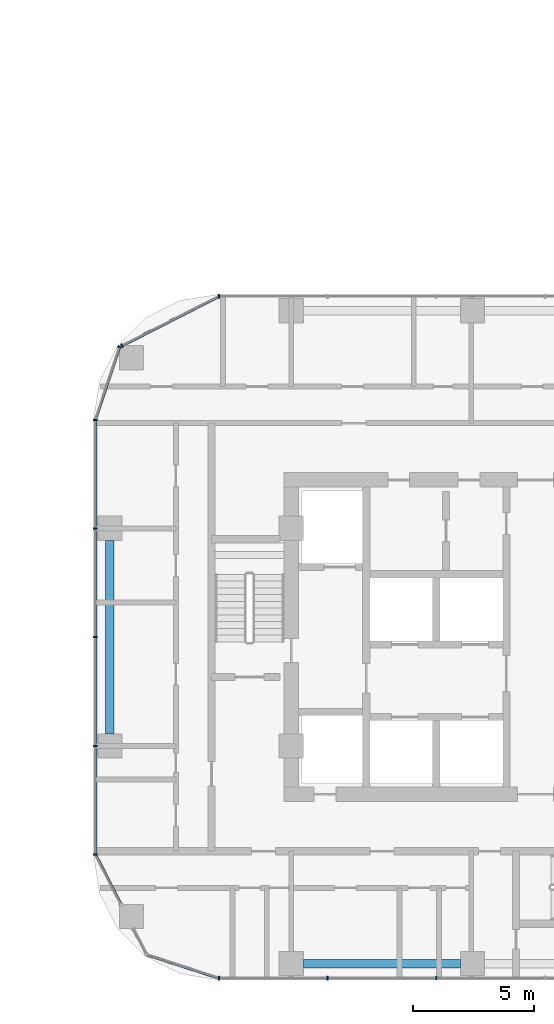
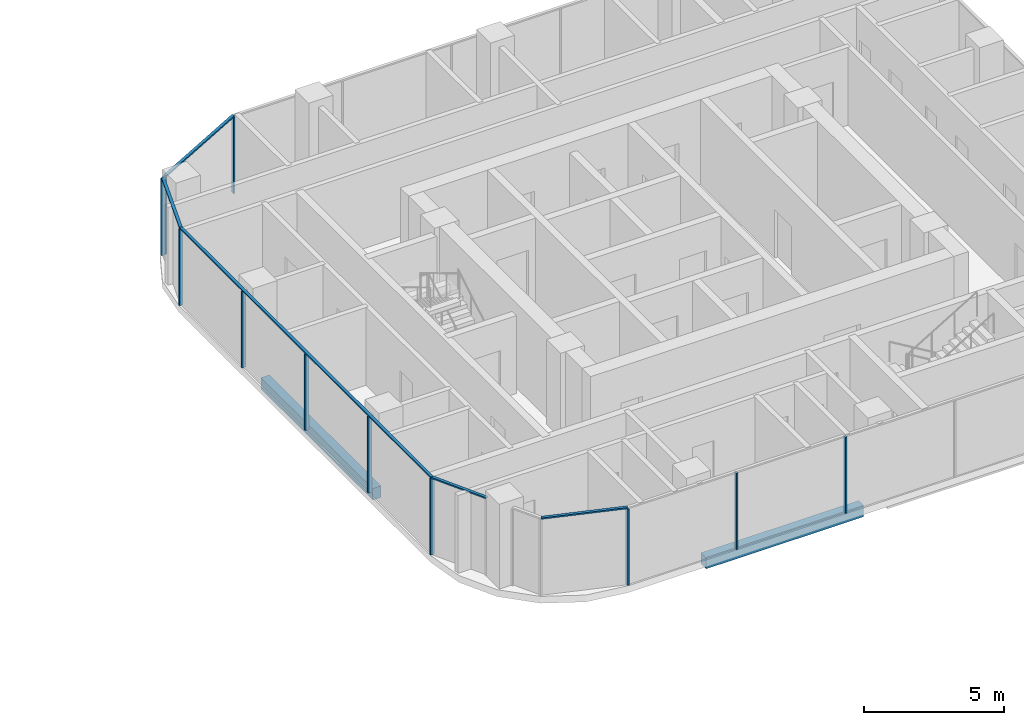
# One storey, part 8 of 31: 16 members, 2 beams, 7 elements without a shape of their own.
"""IFC4 building model written with IfcOpenShell, lengths in metres."""

import ifcopenshell
import ifcopenshell.guid

model = None  # the IFC model being written
_history = None  # IfcOwnerHistory: only IFC2X3 demands one
_inside = {}  # id of a spatial element -> (the spatial element, [elements in it])
_under = {}  # id of a project, library or spatial element -> (it, [spatial elements below it])
_declared = {}  # id of a project -> (the project, [libraries it declares])
_typed = {}  # id of a type object -> (the type object, [elements of that type])
_made_of = {}  # id of a material, layer set ... -> (it, [elements and type objects made of it])


def new_model(schema):
    """Start an empty IFC model of exactly this schema.

    Asked for "IFC4X3", IfcOpenShell would pick the latest addendum, in which some entities
    have other attributes; the version numbers below select the first issue.
    IFC2X3 requires an IfcOwnerHistory on every rooted entity: one is made here for all.
    """
    global model, _history
    if schema == "IFC4X3":
        model = ifcopenshell.file(schema_version=(4, 3, 0, 0))
    else:
        model = ifcopenshell.file(schema=schema)
    _inside.clear()
    _under.clear()
    _declared.clear()
    _typed.clear()
    _made_of.clear()
    _history = None
    if model.schema == "IFC2X3":
        org = make("IfcOrganization", Name="unknown")
        user = make(
            "IfcPersonAndOrganization",
            ThePerson=make("IfcPerson", FamilyName="unknown"),
            TheOrganization=org,
        )
        app = make(
            "IfcApplication",
            ApplicationDeveloper=org,
            Version="unknown",
            ApplicationFullName="unknown",
            ApplicationIdentifier="unknown",
        )
        _history = make(
            "IfcOwnerHistory",
            OwningUser=user,
            OwningApplication=app,
            ChangeAction="ADDED",
            CreationDate=0,
        )
    return model


def make(cls, **values):
    """One entity of the class cls with the attributes given. An attribute that is None is left unset."""
    return model.create_entity(
        cls, **{name: value for name, value in values.items() if value is not None}
    )


def rooted(cls, **values):
    """An entity with a GlobalId (a new one), such as an element, a storey or a relation."""
    return make(cls, GlobalId=ifcopenshell.guid.new(), OwnerHistory=_history, **values)


def si_unit(unit_type, name, prefix=None):
    """IfcSIUnit, for example si_unit("LENGTHUNIT", "METRE", prefix="MILLI")."""
    return make("IfcSIUnit", UnitType=unit_type, Prefix=prefix, Name=name)


def assignment(units):
    """IfcUnitAssignment: the units of a project."""
    return None if units is None else make("IfcUnitAssignment", Units=units)


def point(xyz):
    """IfcCartesianPoint."""
    return None if xyz is None else make("IfcCartesianPoint", Coordinates=xyz)


def direction(xyz):
    """IfcDirection."""
    return None if xyz is None else make("IfcDirection", DirectionRatios=xyz)


def frame(location, z_axis=None, x_axis=None):
    """IfcAxis2Placement3D, a coordinate frame: its origin and axes. An axis left out is left unset."""
    return make(
        "IfcAxis2Placement3D",
        Location=point(location),
        Axis=direction(z_axis),
        RefDirection=direction(x_axis),
    )


def frame_2d(location, x_axis=None):
    """IfcAxis2Placement2D, a coordinate frame in the plane: its origin and x axis."""
    return make(
        "IfcAxis2Placement2D", Location=point(location), RefDirection=direction(x_axis)
    )


def origin():
    """The frame at (0, 0, 0) with its axes left unset."""
    return frame((0.0, 0.0, 0.0))


def origin_2d():
    """The frame at (0, 0) in the plane with its x axis left unset."""
    return frame_2d((0.0, 0.0))


def place(relative_to, where):
    """IfcLocalPlacement: puts the frame where relative to a parent placement (None: the world)."""
    return make(
        "IfcLocalPlacement", PlacementRelTo=relative_to, RelativePlacement=where
    )


def context(
    kind, dimensions, precision=None, world=None, true_north=None, identifier=None
):
    """IfcGeometricRepresentationContext, for example the 3D "Model" context."""
    return make(
        "IfcGeometricRepresentationContext",
        ContextIdentifier=identifier,
        ContextType=kind,
        CoordinateSpaceDimension=dimensions,
        Precision=precision,
        WorldCoordinateSystem=world,
        TrueNorth=true_north,
    )


def subcontext(parent, identifier, kind, view, scale=None):
    """IfcGeometricRepresentationSubContext, for example "Body" below "Model"."""
    return make(
        "IfcGeometricRepresentationSubContext",
        ContextIdentifier=identifier,
        ContextType=kind,
        ParentContext=parent,
        TargetScale=scale,
        TargetView=view,
    )


def project(units=None, contexts=None):
    """IfcProject with its units and contexts."""
    return rooted(
        "IfcProject",
        Name="project",
        RepresentationContexts=contexts,
        UnitsInContext=assignment(units),
    )


def spatial(cls, under=None, at=None, **own):
    """A site, building, storey or space (cls), placed at a placement, below another one or the project."""
    s = rooted(cls, ObjectPlacement=at, **own)
    if under is not None:
        _under.setdefault(under.id(), (under, []))[1].append(s)
    return s


def profile(cls, at=None, kind="AREA", **sizes):
    """A parametric profile (cls). Its sizes go by their IFC names, for example OverallWidth=200.0."""
    return make(cls, ProfileType=kind, Position=at, **sizes)


def rectangle(**sizes):
    """IfcRectangleProfileDef."""
    return profile("IfcRectangleProfileDef", **sizes)


def extrude(swept, where, along, depth):
    """IfcExtrudedAreaSolid: the profile swept, set in the frame where, extruded along a direction by depth."""
    return make(
        "IfcExtrudedAreaSolid",
        SweptArea=swept,
        Position=where,
        ExtrudedDirection=direction(along),
        Depth=depth,
    )


def shape(context_of_items, identifier, shape_type, items):
    """IfcShapeRepresentation: the items that make up one representation, for example the "Body"."""
    return make(
        "IfcShapeRepresentation",
        ContextOfItems=context_of_items,
        RepresentationIdentifier=identifier,
        RepresentationType=shape_type,
        Items=items,
    )


def material(Name=None, Category=None):
    """IfcMaterial."""
    return make("IfcMaterial", Name=Name, Category=Category)


def material_profile(
    of_material, cross_section, Name=None, Category=None, Priority=None
):
    """IfcMaterialProfile: a cross section and its material."""
    return make(
        "IfcMaterialProfile",
        Name=Name,
        Material=of_material,
        Profile=cross_section,
        Priority=Priority,
        Category=Category,
    )


def profile_set(profiles, Name=None, composite=None):
    """IfcMaterialProfileSet."""
    return make(
        "IfcMaterialProfileSet",
        Name=Name,
        MaterialProfiles=profiles,
        CompositeProfile=composite,
    )


def made_of(thing, what):
    """Note that an element or type object is made of a material, layer set ...; save() writes the relation."""
    if what is not None:
        _made_of.setdefault(what.id(), (what, []))[1].append(thing)
    return thing


def type_object(cls, material=None, **own):
    """A type object (cls), such as IfcWallType, which elements share."""
    return made_of(rooted(cls, **own), material)


def element(
    cls,
    number,
    at=None,
    inside=None,
    cuts=None,
    type_object=None,
    material=None,
    context=None,
    identifier="Body",
    shape_type=None,
    held_by="IfcProductDefinitionShape",
    body=None,
    shapes=None,
    **own,
):
    """One element of the class cls, such as IfcWall. Its Tag is "e" and its number.

    at: its placement. inside: the storey or other place that contains it. cuts: it is an
    opening in that element (IfcRelVoidsElement). A single representation is given by context,
    identifier, shape_type and body (its items); several are given by shapes. held_by: the class
    of the entity that holds the representations. save() writes the other relations.
    """
    e = rooted(cls, Tag="e%d" % number, ObjectPlacement=at, **own)
    if body is not None:
        shapes = [shape(context, identifier, shape_type, body)]
    if shapes is not None:
        e.Representation = make(held_by, Representations=shapes)
    if inside is not None:
        _inside.setdefault(inside.id(), (inside, []))[1].append(e)
    if cuts is not None:
        rooted(
            "IfcRelVoidsElement", RelatingBuildingElement=cuts, RelatedOpeningElement=e
        )
    if type_object is not None:
        _typed.setdefault(type_object.id(), (type_object, []))[1].append(e)
    return made_of(e, material)


def aggregate(whole, parts):
    """IfcRelAggregates: a whole, such as a stair, and the parts it consists of."""
    return rooted("IfcRelAggregates", RelatingObject=whole, RelatedObjects=parts)


def save(model, path):
    """Write the relations noted so far, then the file.

    IfcRelAggregates (storeys below a building ...), IfcRelContainedInSpatialStructure (elements
    in a storey), IfcRelDefinesByType, IfcRelAssociatesMaterial and IfcRelDeclares: one each for
    every whole, place, type object, material and project.
    """
    for whole, parts in _under.values():
        aggregate(whole, parts)
    for where, things in _inside.values():
        rooted(
            "IfcRelContainedInSpatialStructure",
            RelatedElements=things,
            RelatingStructure=where,
        )
    for kind, things in _typed.values():
        rooted("IfcRelDefinesByType", RelatedObjects=things, RelatingType=kind)
    for what, things in _made_of.values():
        rooted("IfcRelAssociatesMaterial", RelatedObjects=things, RelatingMaterial=what)
    for by, libraries in _declared.values():
        rooted("IfcRelDeclares", RelatingContext=by, RelatedDefinitions=libraries)
    model.write(path)


model = new_model("IFC4")

# Units and contexts
model_context = context("Model", 3, precision=1e-05, world=origin(), true_north=direction((0.0, 1.0)))
body_context = subcontext(model_context, "Body", "Model", "MODEL_VIEW")
ifc_project = project(units=[si_unit("LENGTHUNIT", "METRE"), si_unit("AREAUNIT", "SQUARE_METRE"), si_unit("VOLUMEUNIT", "CUBIC_METRE"), si_unit("PLANEANGLEUNIT", "RADIAN"), si_unit("MASSUNIT", "GRAM", prefix="KILO")], contexts=[model_context])

# Site, building, storey
site_placement = place(None, origin())
site = spatial("IfcSite", under=ifc_project, at=site_placement, CompositionType="ELEMENT")
building_placement = place(site_placement, origin())
building = spatial("IfcBuilding", under=site, at=building_placement, Name="Ogive Portal Towers", CompositionType="ELEMENT")
storey_placement = place(building_placement, frame((0.0, 0.0, 40.89990234375)))
storey = spatial("IfcBuildingStorey", under=building, at=storey_placement, Name="L08", CompositionType="ELEMENT", Elevation=40.89990234375)

# Curtain wall, members
ifc_material_1 = material(Name="Glass, clear low-iron insulated glazing", Category="glass")
curtain_wall_type = type_object("IfcCurtainWallType", Name="CW RESIDENCES RIBBON", PredefinedType="NOTDEFINED", material=ifc_material_1)
curtain_wall_1_placement = place(storey_placement, origin())
curtain_wall_1 = element("IfcCurtainWall", 1, at=curtain_wall_1_placement, inside=storey, type_object=curtain_wall_type, Name="B:L08:f02:cw0", PredefinedType="NOTDEFINED")
ifc_material_2 = material(Name="Aluminium 6063 anodised", Category="aluminium")
ifc_material_profile_1 = material_profile(ifc_material_2, rectangle(XDim=0.159912109375, YDim=0.06005859375, at=origin_2d()), Name="AL 60x160")
ifc_profile_set_1 = profile_set([ifc_material_profile_1], Name="Aluminium 6063 anodised")
member_type_1 = type_object("IfcMemberType", Name="CW MULLION 60x160", PredefinedType="MULLION", material=ifc_profile_set_1)
member_1_placement = place(storey_placement, frame((126.0126953125, 16.89990234375, 0.0), z_axis=(0.0, 0.0, 1.0), x_axis=(0.0, 1.0, 0.0)))
member_1 = element("IfcMember", 2, at=member_1_placement, type_object=member_type_1, Name="mullion", PredefinedType="MULLION", context=body_context, shape_type="SweptSolid", body=[
    extrude(rectangle(XDim=0.159912109375, YDim=0.06005859375, at=origin_2d()), origin(), (0.0, 0.0, 1.0), 3.340087890625),
])
member_2_placement = place(storey_placement, frame((130.5, 16.89990234375, 0.0), z_axis=(0.0, 0.0, 1.0), x_axis=(0.0, 1.0, 0.0)))
member_2 = element("IfcMember", 3, at=member_2_placement, type_object=member_type_1, Name="mullion", PredefinedType="MULLION", context=body_context, shape_type="SweptSolid", body=[
    extrude(rectangle(XDim=0.159912109375, YDim=0.06005859375, at=origin_2d()), origin(), (0.0, 0.0, 1.0), 3.340087890625),
])
member_3_placement = place(storey_placement, frame((135.0, 16.89990234375, 0.0), z_axis=(0.0, 0.0, 1.0), x_axis=(0.0, 1.0, 0.0)))
member_3 = element("IfcMember", 4, at=member_3_placement, type_object=member_type_1, Name="mullion", PredefinedType="MULLION", context=body_context, shape_type="SweptSolid", body=[
    extrude(rectangle(XDim=0.159912109375, YDim=0.06005859375, at=origin_2d()), origin(), (0.0, 0.0, 1.0), 3.340087890625),
])
aggregate(curtain_wall_1, [member_1, member_2, member_3])

# Curtain wall, member
curtain_wall_2_placement = place(storey_placement, origin())
curtain_wall_2 = element("IfcCurtainWall", 5, at=curtain_wall_2_placement, inside=storey, type_object=curtain_wall_type, Name="B:L08:f08:cw0", PredefinedType="NOTDEFINED")
member_4_placement = place(storey_placement, frame((126.019287109375, 45.10009765625, 0.0), z_axis=(0.0, 0.0, 1.0), x_axis=(0.0, -1.0, 0.0)))
member_4 = element("IfcMember", 6, at=member_4_placement, type_object=member_type_1, Name="mullion", PredefinedType="MULLION", context=body_context, shape_type="SweptSolid", body=[
    extrude(rectangle(XDim=0.159912109375, YDim=0.06005859375, at=origin_2d()), origin(), (0.0, 0.0, 1.0), 3.340087890625),
])
aggregate(curtain_wall_2, [member_4])

# Curtain wall, members
curtain_wall_3_placement = place(storey_placement, origin())
curtain_wall_3 = element("IfcCurtainWall", 7, at=curtain_wall_3_placement, inside=storey, type_object=curtain_wall_type, Name="B:L08:f11:cw0", PredefinedType="NOTDEFINED")
member_5_placement = place(storey_placement, frame((120.89990234375, 39.9873046875, 0.0), z_axis=(0.0, 0.0, 1.0), x_axis=(1.0, 0.0, 0.0)))
member_5 = element("IfcMember", 8, at=member_5_placement, type_object=member_type_1, Name="mullion", PredefinedType="MULLION", context=body_context, shape_type="SweptSolid", body=[
    extrude(rectangle(XDim=0.159912109375, YDim=0.06005859375, at=origin_2d()), origin(), (0.0, 0.0, 1.0), 3.340087890625),
])
member_6_placement = place(storey_placement, frame((120.89990234375, 35.5, 0.0), z_axis=(0.0, 0.0, 1.0), x_axis=(1.0, 0.0, 0.0)))
member_6 = element("IfcMember", 9, at=member_6_placement, type_object=member_type_1, Name="mullion", PredefinedType="MULLION", context=body_context, shape_type="SweptSolid", body=[
    extrude(rectangle(XDim=0.159912109375, YDim=0.06005859375, at=origin_2d()), origin(), (0.0, 0.0, 1.0), 3.340087890625),
])
member_7_placement = place(storey_placement, frame((120.89990234375, 31.0, 0.0), z_axis=(0.0, 0.0, 1.0), x_axis=(1.0, 0.0, 0.0)))
member_7 = element("IfcMember", 10, at=member_7_placement, type_object=member_type_1, Name="mullion", PredefinedType="MULLION", context=body_context, shape_type="SweptSolid", body=[
    extrude(rectangle(XDim=0.159912109375, YDim=0.06005859375, at=origin_2d()), origin(), (0.0, 0.0, 1.0), 3.340087890625),
])
member_8_placement = place(storey_placement, frame((120.89990234375, 26.5, 0.0), z_axis=(0.0, 0.0, 1.0), x_axis=(1.0, 0.0, 0.0)))
member_8 = element("IfcMember", 11, at=member_8_placement, type_object=member_type_1, Name="mullion", PredefinedType="MULLION", context=body_context, shape_type="SweptSolid", body=[
    extrude(rectangle(XDim=0.159912109375, YDim=0.06005859375, at=origin_2d()), origin(), (0.0, 0.0, 1.0), 3.340087890625),
])
member_9_placement = place(storey_placement, frame((120.89990234375, 22.019287109375, 0.0), z_axis=(0.0, 0.0, 1.0), x_axis=(1.0, 0.0, 0.0)))
member_9 = element("IfcMember", 12, at=member_9_placement, type_object=member_type_1, Name="mullion", PredefinedType="MULLION", context=body_context, shape_type="SweptSolid", body=[
    extrude(rectangle(XDim=0.159912109375, YDim=0.06005859375, at=origin_2d()), origin(), (0.0, 0.0, 1.0), 3.340087890625),
])

# Curtain wall, member
curtain_wall_4_placement = place(storey_placement, origin())
curtain_wall_4 = element("IfcCurtainWall", 13, at=curtain_wall_4_placement, inside=storey, type_object=curtain_wall_type, Name="B:L08:f09:cwa~0", PredefinedType="NOTDEFINED")
member_10_placement = place(storey_placement, frame((122.011474609375, 43.05810546875, 0.0), z_axis=(0.0, 0.0, 1.0), x_axis=(0.45399049974, -0.891006524188, 0.0)))
member_10 = element("IfcMember", 14, at=member_10_placement, type_object=member_type_1, Name="mullion", PredefinedType="MULLION", context=body_context, shape_type="SweptSolid", body=[
    extrude(rectangle(XDim=0.159912109375, YDim=0.06005859375, at=origin_2d()), origin(), (0.0, 0.0, 1.0), 3.340087890625),
])

curtain_wall_5_placement = place(storey_placement, origin())
curtain_wall_5 = element("IfcCurtainWall", 15, at=curtain_wall_5_placement, inside=storey, type_object=curtain_wall_type, Name="B:L08:f09:cwa~1", PredefinedType="NOTDEFINED")
member_11_placement = place(storey_placement, frame((121.90087890625, 43.001708984375, 0.0), z_axis=(0.0, 0.0, 1.0), x_axis=(0.949039718769, -0.315156488428, 0.0)))
member_11 = element("IfcMember", 16, at=member_11_placement, type_object=member_type_1, Name="mullion", PredefinedType="MULLION", context=body_context, shape_type="SweptSolid", body=[
    extrude(rectangle(XDim=0.159912109375, YDim=0.06005859375, at=origin_2d()), origin(), (0.0, 0.0, 1.0), 3.340087890625),
])

# Member
ifc_material_profile_2 = material_profile(ifc_material_2, rectangle(XDim=0.1201171875, YDim=0.06005859375, at=origin_2d()), Name="AL 120x60")
ifc_profile_set_2 = profile_set([ifc_material_profile_2], Name="Aluminium 6063 anodised")
member_type_2 = type_object("IfcMemberType", Name="CW TRANSOM 60x120", PredefinedType="USERDEFINED", material=ifc_profile_set_2)
member_12_placement = place(storey_placement, frame((120.89990234375, 39.9873046875, 3.3701171875), z_axis=(0.0, -1.0, 0.0), x_axis=(1.0, 0.0, 0.0)))
member_12 = element("IfcMember", 17, at=member_12_placement, type_object=member_type_2, Name="transom", ObjectType="TRANSOM", PredefinedType="USERDEFINED", context=body_context, shape_type="SweptSolid", body=[
    extrude(rectangle(XDim=0.1201171875, YDim=0.06005859375, at=origin_2d()), origin(), (0.0, 0.0, 1.0), 17.968017578125),
])

aggregate(curtain_wall_3, [member_12, member_5, member_6, member_7, member_8, member_9])

# Curtain wall, member
curtain_wall_6_placement = place(storey_placement, origin())
curtain_wall_6 = element("IfcCurtainWall", 18, at=curtain_wall_6_placement, inside=storey, type_object=curtain_wall_type, Name="B:L08:f00:cwa~0", PredefinedType="NOTDEFINED")
member_13_placement = place(storey_placement, frame((120.89990234375, 22.019287109375, 3.3701171875), z_axis=(0.454027737199, -0.890987549775, 0.0), x_axis=(0.890987549775, 0.454027737199, 0.0)))
member_13 = element("IfcMember", 19, at=member_13_placement, type_object=member_type_2, Name="transom", ObjectType="TRANSOM", PredefinedType="USERDEFINED", context=body_context, shape_type="SweptSolid", body=[
    extrude(rectangle(XDim=0.1201171875, YDim=0.06005859375, at=origin_2d()), origin(), (0.0, 0.0, 1.0), 2.33154296875),
])
aggregate(curtain_wall_6, [member_13])

curtain_wall_7_placement = place(storey_placement, origin())
curtain_wall_7 = element("IfcCurtainWall", 20, at=curtain_wall_7_placement, inside=storey, type_object=curtain_wall_type, Name="B:L08:f00:cwa~1", PredefinedType="NOTDEFINED")
member_14_placement = place(storey_placement, frame((123.011474609375, 17.875244140625, 3.3701171875), z_axis=(0.951039185402, -0.309070328291, 0.0), x_axis=(0.309070328291, 0.951039185402, 0.0)))
member_14 = element("IfcMember", 21, at=member_14_placement, type_object=member_type_2, Name="transom", ObjectType="TRANSOM", PredefinedType="USERDEFINED", context=body_context, shape_type="SweptSolid", body=[
    extrude(rectangle(XDim=0.1201171875, YDim=0.06005859375, at=origin_2d()), origin(), (0.0, 0.0, 1.0), 3.15576171875),
])
aggregate(curtain_wall_7, [member_14])

# Member
member_15_placement = place(storey_placement, frame((126.019287109375, 45.10009765625, 3.3701171875), z_axis=(-0.89101464276, -0.453974565792, 0.0), x_axis=(0.453974565792, -0.89101464276, 0.0)))
member_15 = element("IfcMember", 22, at=member_15_placement, type_object=member_type_2, Name="transom", ObjectType="TRANSOM", PredefinedType="USERDEFINED", context=body_context, shape_type="SweptSolid", body=[
    extrude(rectangle(XDim=0.1201171875, YDim=0.06005859375, at=origin_2d()), origin(), (0.0, 0.0, 1.0), 4.498046875),
])

aggregate(curtain_wall_4, [member_15, member_10])

member_16_placement = place(storey_placement, frame((121.90087890625, 43.001708984375, 3.3701171875), z_axis=(-0.315143772541, -0.949043941358, 0.0), x_axis=(0.949043941358, -0.315143772541, 0.0)))
member_16 = element("IfcMember", 23, at=member_16_placement, type_object=member_type_2, Name="transom", ObjectType="TRANSOM", PredefinedType="USERDEFINED", context=body_context, shape_type="SweptSolid", body=[
    extrude(rectangle(XDim=0.1201171875, YDim=0.06005859375, at=origin_2d()), origin(), (0.0, 0.0, 1.0), 3.17626953125),
])

aggregate(curtain_wall_5, [member_16, member_11])

# Beams
ifc_material_3 = material(Name="Concrete C50/60", Category="concrete")
ifc_material_profile_3 = material_profile(ifc_material_3, rectangle(XDim=0.35009765625, YDim=0.5, at=origin_2d()), Name="RC 350x500")
ifc_profile_set_3 = profile_set([ifc_material_profile_3], Name="Concrete C50/60")
beam_type = type_object("IfcBeamType", Name="SPANDREL BEAM RC 350x500", PredefinedType="BEAM", material=ifc_profile_set_3)
beam_1_placement = place(storey_placement, frame((129.5, 17.5, -0.5498046875), z_axis=(1.0, 0.0, 0.0), x_axis=(0.0, 1.0, 0.0)))
element("IfcBeam", 24, at=beam_1_placement, inside=storey, type_object=beam_type, Name="Spandrel beam L08", PredefinedType="BEAM", context=body_context, shape_type="SweptSolid", body=[
    extrude(rectangle(XDim=0.35009765625, YDim=0.5, at=origin_2d()), origin(), (0.0, 0.0, 1.0), 6.5),
])
beam_2_placement = place(storey_placement, frame((121.5, 35.0, -0.5498046875), z_axis=(0.0, -1.0, 0.0), x_axis=(1.0, 0.0, 0.0)))
element("IfcBeam", 25, at=beam_2_placement, inside=storey, type_object=beam_type, Name="Spandrel beam L08", PredefinedType="BEAM", context=body_context, shape_type="SweptSolid", body=[
    extrude(rectangle(XDim=0.35009765625, YDim=0.5, at=origin_2d()), origin(), (0.0, 0.0, 1.0), 8.0),
])

save(model, "model.ifc")
